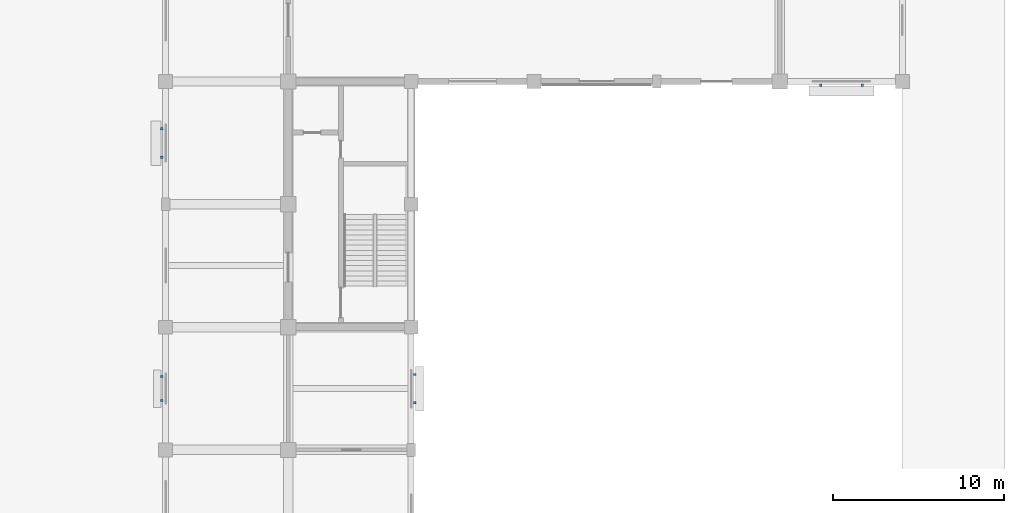
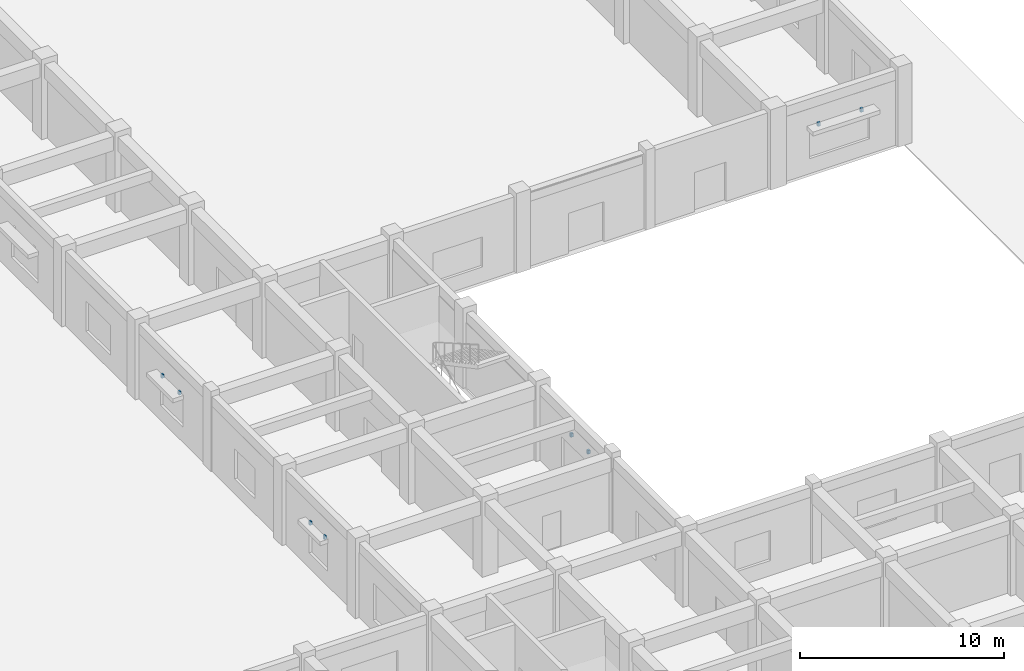
# One storey, part 32 of 37: 8 discrete accessories.
"""IFC4 building model written with IfcOpenShell, lengths in metres."""

from ifc_helpers import new_model, si_unit, direction, frame, origin, origin_2d, place, context, subcontext, project, spatial, rectangle, extrude, material, type_object, element, save


model = new_model("IFC4")

# Units and contexts
model_context = context("Model", 3, precision=1e-05, world=origin(), true_north=direction((0.0, 1.0)))
body_context = subcontext(model_context, "Body", "Model", "MODEL_VIEW")
ifc_project = project(units=[si_unit("LENGTHUNIT", "METRE"), si_unit("AREAUNIT", "SQUARE_METRE"), si_unit("VOLUMEUNIT", "CUBIC_METRE"), si_unit("PLANEANGLEUNIT", "RADIAN"), si_unit("MASSUNIT", "GRAM", prefix="KILO")], contexts=[model_context])

# Site, building, storey
site_placement = place(None, origin())
site = spatial("IfcSite", under=ifc_project, at=site_placement, CompositionType="ELEMENT")
building_placement = place(site_placement, origin())
building = spatial("IfcBuilding", under=site, at=building_placement, Name="Cendaluz Park School", CompositionType="ELEMENT")
storey_placement = place(building_placement, origin())
storey = spatial("IfcBuildingStorey", under=building, at=storey_placement, Name="L00", CompositionType="ELEMENT", Elevation=0.0)

# Discrete accessories
ifc_material = material(Name="Steel S355", Category="steel")
discrete_accessory_type = type_object("IfcDiscreteAccessoryType", Name="BK-01", PredefinedType="BRACKET", material=ifc_material)
for number, where, z_axis, x_axis, name in (
    (1, (129.3798828125, 38.89599609375, 2.72998046875), (0.0, 0.0, 1.0), (0.0, 1.0, 0.0), "BK-L00-041"),
    (2, (129.3798828125, 40.303955078125, 2.72998046875), (0.0, 0.0, 1.0), (0.0, 1.0, 0.0), "BK-L00-042"),
    (3, (129.3798828125, 53.155517578125, 2.72998046875), (0.0, 0.0, 1.0), (0.0, 1.0, 0.0), "BK-L00-043"),
    (4, (129.3798828125, 54.819580078125, 2.72998046875), (0.0, 0.0, 1.0), (0.0, 1.0, 0.0), "BK-L00-044"),
    (5, (144.219970703125, 38.755615234375, 2.72998046875), (0.0, 0.0, 1.0), (0.0, 1.0, 0.0), "BK-L00-053"),
    (6, (144.219970703125, 40.41943359375, 2.72998046875), (0.0, 0.0, 1.0), (0.0, 1.0, 0.0), "BK-L00-054"),
    (7, (168.009033203125, 57.3798828125, 2.72998046875), (0.0, 0.0, 1.0), (1.0, 0.0, 0.0), "BK-L00-061"),
    (8, (170.44091796875, 57.3798828125, 2.72998046875), (0.0, 0.0, 1.0), (1.0, 0.0, 0.0), "BK-L00-062"),
):
    element("IfcDiscreteAccessory", number, at=place(storey_placement, frame(where, z_axis=z_axis, x_axis=x_axis)), inside=storey, type_object=discrete_accessory_type, Name=name, PredefinedType="BRACKET", context=body_context, shape_type="SweptSolid", body=[
        extrude(rectangle(XDim=0.139892578125, YDim=0.139892578125, at=origin_2d()), origin(), (0.0, 0.0, 1.0), 0.219970703125),
    ])

save(model, "model.ifc")
